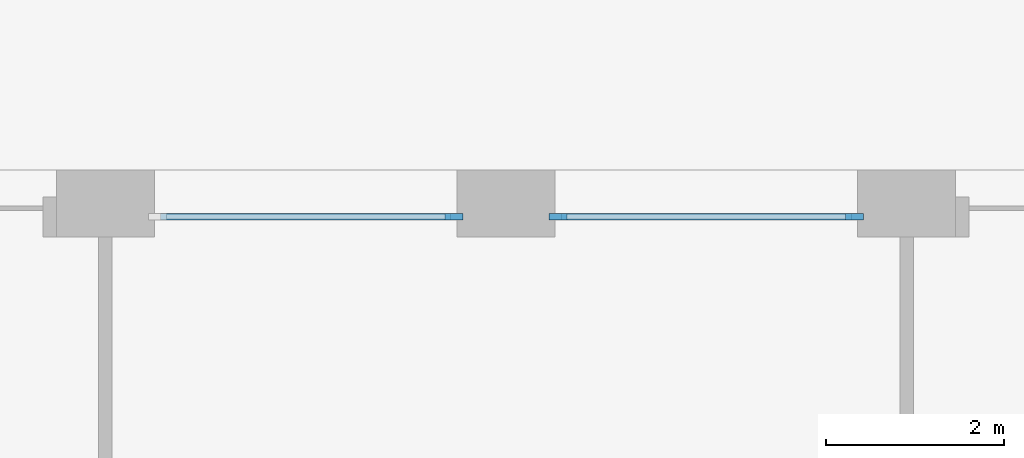
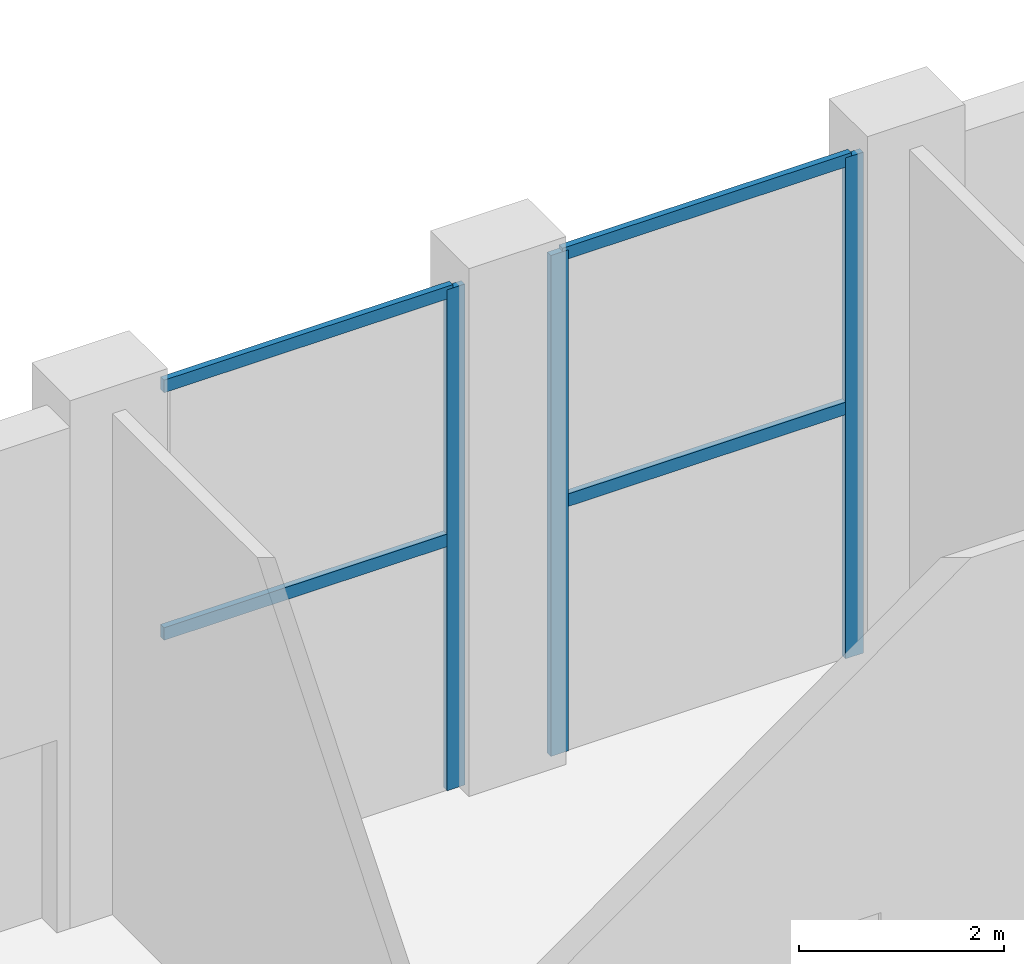
# One storey, part 8 of 21: 7 members, 2 elements without a shape of their own.
"""IFC4 building model written with IfcOpenShell, lengths in metres."""

from ifc_helpers import new_model, si_unit, direction, frame, origin, origin_2d, place, context, subcontext, project, spatial, rectangle, extrude, material, layer, layer_set, material_profile, profile_set, type_object, element, aggregate, save


model = new_model("IFC4")

# Units and contexts
model_context = context("Model", 3, precision=1e-05, world=origin(), true_north=direction((0.0, 1.0)))
body_context = subcontext(model_context, "Body", "Model", "MODEL_VIEW")
ifc_project = project(units=[si_unit("LENGTHUNIT", "METRE"), si_unit("AREAUNIT", "SQUARE_METRE"), si_unit("VOLUMEUNIT", "CUBIC_METRE"), si_unit("PLANEANGLEUNIT", "RADIAN"), si_unit("MASSUNIT", "GRAM", prefix="KILO")], contexts=[model_context])

# Site, building, storey
site_placement = place(None, origin())
site = spatial("IfcSite", under=ifc_project, at=site_placement, CompositionType="ELEMENT")
building_placement = place(site_placement, origin())
building = spatial("IfcBuilding", under=site, at=building_placement, Name="Brigalow Station Residences", CompositionType="ELEMENT")
storey_placement = place(building_placement, frame((0.0, 0.0, 77.25)))
storey = spatial("IfcBuildingStorey", under=building, at=storey_placement, Name="L22", CompositionType="ELEMENT", Elevation=77.25)

# Curtain wall, members
ifc_material_1 = material(Name="Aluminium", Category="aluminium")
ifc_layer = layer(ifc_material_1, 0.199951171875)
ifc_layer_set = layer_set([ifc_layer], Name="SKY FLOOR GLAZING CURTAIN WALL")
curtain_wall_type = type_object("IfcCurtainWallType", Name="SKY FLOOR GLAZING CURTAIN WALL", PredefinedType="NOTDEFINED", material=ifc_layer_set)
curtain_wall_1_placement = place(storey_placement, origin())
curtain_wall_1 = element("IfcCurtainWall", 1, at=curtain_wall_1_placement, inside=storey, type_object=curtain_wall_type, Name="L22/cw/W-L22-25", PredefinedType="NOTDEFINED")
ifc_material_2 = material(Name="Aluminium", Category="aluminium")
ifc_material_profile_1 = material_profile(ifc_material_2, rectangle(XDim=0.070068359375, YDim=0.199951171875, at=origin_2d()), Name="SKY FLOOR GLAZING MULLION 70x200")
ifc_profile_set_1 = profile_set([ifc_material_profile_1], Name="Aluminium")
member_type_1 = type_object("IfcMemberType", Name="SKY FLOOR GLAZING MULLION 70x200", PredefinedType="MULLION", material=ifc_profile_set_1)
member_1_placement = place(storey_placement, frame((62.4150390625, 44.97509765625, 0.0), z_axis=(0.0, 0.0, 1.0), x_axis=(0.0, -1.0, 0.0)))
member_1 = element("IfcMember", 2, at=member_1_placement, type_object=member_type_1, Name="L22/cw/W-L22-25/M00", PredefinedType="MULLION", context=body_context, shape_type="SweptSolid", body=[
    extrude(rectangle(XDim=0.070068359375, YDim=0.199951171875, at=origin_2d()), origin(), (0.0, 0.0, 1.0), 5.97998046875),
])
member_2_placement = place(storey_placement, frame((59.0849609375, 44.97509765625, 0.0), z_axis=(0.0, 0.0, 1.0), x_axis=(0.0, -1.0, 0.0)))
member_2 = element("IfcMember", 3, at=member_2_placement, type_object=member_type_1, Name="L22/cw/W-L22-25/M01", PredefinedType="MULLION", context=body_context, shape_type="SweptSolid", body=[
    extrude(rectangle(XDim=0.070068359375, YDim=0.199951171875, at=origin_2d()), origin(), (0.0, 0.0, 1.0), 5.97998046875),
])

# Curtain wall, member
curtain_wall_2_placement = place(storey_placement, origin())
curtain_wall_2 = element("IfcCurtainWall", 4, at=curtain_wall_2_placement, inside=storey, type_object=curtain_wall_type, Name="L22/cw/W-L22-26", PredefinedType="NOTDEFINED")
member_3_placement = place(storey_placement, frame((57.9150390625, 44.97509765625, 0.0), z_axis=(0.0, 0.0, 1.0), x_axis=(0.0, -1.0, 0.0)))
member_3 = element("IfcMember", 5, at=member_3_placement, type_object=member_type_1, Name="L22/cw/W-L22-26/M00", PredefinedType="MULLION", context=body_context, shape_type="SweptSolid", body=[
    extrude(rectangle(XDim=0.070068359375, YDim=0.199951171875, at=origin_2d()), origin(), (0.0, 0.0, 1.0), 5.97998046875),
])

# Member
ifc_material_3 = material(Name="Aluminium", Category="aluminium")
ifc_material_profile_2 = material_profile(ifc_material_3, rectangle(XDim=0.070068359375, YDim=0.14990234375, at=origin_2d()), Name="SKY FLOOR GLAZING TRANSOM 70x150")
ifc_profile_set_2 = profile_set([ifc_material_profile_2], Name="Aluminium")
member_type_2 = type_object("IfcMemberType", Name="SKY FLOOR GLAZING TRANSOM 70x150", PredefinedType="USERDEFINED", material=ifc_profile_set_2)
member_4_placement = place(storey_placement, frame((62.3798828125, 44.97509765625, 2.989990234375), z_axis=(-1.0, 0.0, 0.0), x_axis=(0.0, -1.0, 0.0)))
member_4 = element("IfcMember", 6, at=member_4_placement, type_object=member_type_2, Name="L22/cw/W-L22-25/T00-00", ObjectType="TRANSOM", PredefinedType="USERDEFINED", context=body_context, shape_type="SweptSolid", body=[
    extrude(rectangle(XDim=0.070068359375, YDim=0.14990234375, at=origin_2d()), origin(), (0.0, 0.0, 1.0), 3.259765625),
])

member_5_placement = place(storey_placement, frame((62.3798828125, 44.97509765625, 5.945068359375), z_axis=(-1.0, 0.0, 0.0), x_axis=(0.0, -1.0, 0.0)))
member_5 = element("IfcMember", 7, at=member_5_placement, type_object=member_type_2, Name="L22/cw/W-L22-25/T00-01", ObjectType="TRANSOM", PredefinedType="USERDEFINED", context=body_context, shape_type="SweptSolid", body=[
    extrude(rectangle(XDim=0.070068359375, YDim=0.14990234375, at=origin_2d()), origin(), (0.0, 0.0, 1.0), 3.259765625),
])

aggregate(curtain_wall_1, [member_1, member_2, member_4, member_5])

member_6_placement = place(storey_placement, frame((57.8798828125, 44.97509765625, 2.989990234375), z_axis=(-1.0, 0.0, 0.0), x_axis=(0.0, -1.0, 0.0)))
member_6 = element("IfcMember", 8, at=member_6_placement, type_object=member_type_2, Name="L22/cw/W-L22-26/T00-00", ObjectType="TRANSOM", PredefinedType="USERDEFINED", context=body_context, shape_type="SweptSolid", body=[
    extrude(rectangle(XDim=0.070068359375, YDim=0.14990234375, at=origin_2d()), origin(), (0.0, 0.0, 1.0), 3.259765625),
])

member_7_placement = place(storey_placement, frame((57.8798828125, 44.97509765625, 5.945068359375), z_axis=(-1.0, 0.0, 0.0), x_axis=(0.0, -1.0, 0.0)))
member_7 = element("IfcMember", 9, at=member_7_placement, type_object=member_type_2, Name="L22/cw/W-L22-26/T00-01", ObjectType="TRANSOM", PredefinedType="USERDEFINED", context=body_context, shape_type="SweptSolid", body=[
    extrude(rectangle(XDim=0.070068359375, YDim=0.14990234375, at=origin_2d()), origin(), (0.0, 0.0, 1.0), 3.259765625),
])

aggregate(curtain_wall_2, [member_3, member_6, member_7])

save(model, "model.ifc")
